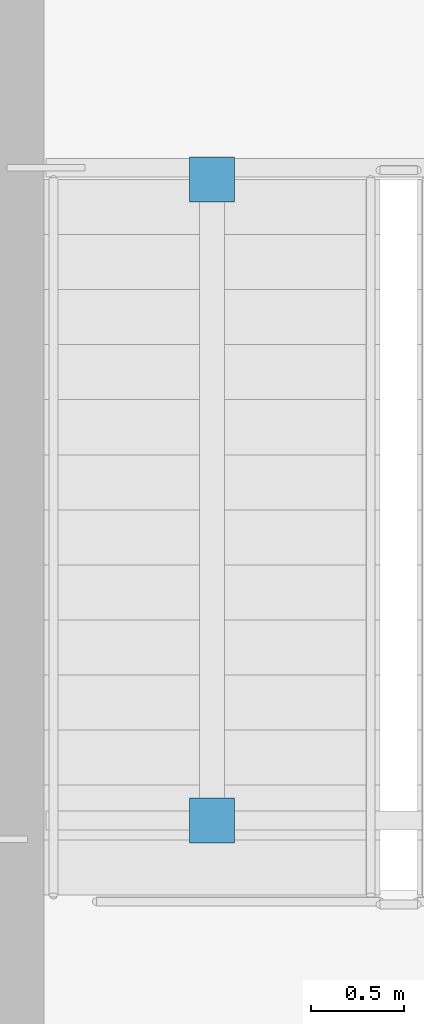
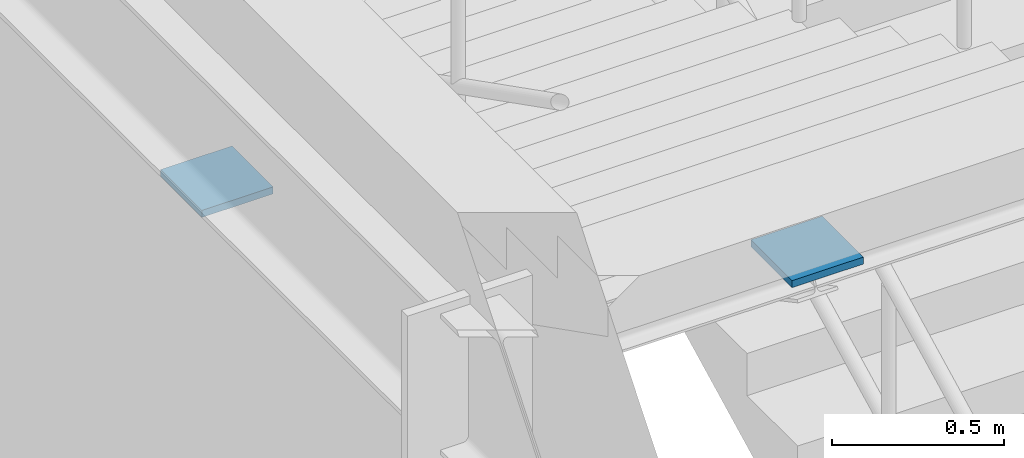
# One storey, part 55 of 67: 2 discrete accessories.
"""IFC4 building model written with IfcOpenShell, lengths in metres."""

from ifc_helpers import new_model, si_unit, direction, frame, origin, origin_2d, place, context, subcontext, project, spatial, rectangle, extrude, material, type_object, element, save


model = new_model("IFC4")

# Units and contexts
model_context = context("Model", 3, precision=1e-05, world=origin(), true_north=direction((0.0, 1.0)))
body_context = subcontext(model_context, "Body", "Model", "MODEL_VIEW")
ifc_project = project(units=[si_unit("LENGTHUNIT", "METRE"), si_unit("AREAUNIT", "SQUARE_METRE"), si_unit("VOLUMEUNIT", "CUBIC_METRE"), si_unit("PLANEANGLEUNIT", "RADIAN"), si_unit("MASSUNIT", "GRAM", prefix="KILO")], contexts=[model_context])

# Site, building, storey
site_placement = place(None, origin())
site = spatial("IfcSite", under=ifc_project, at=site_placement, CompositionType="ELEMENT")
building_placement = place(site_placement, origin())
building = spatial("IfcBuilding", under=site, at=building_placement, Name="Sundkrona Museum", CompositionType="ELEMENT")
storey_placement = place(building_placement, frame((0.0, 0.0, 21.800048828125)))
storey = spatial("IfcBuildingStorey", under=building, at=storey_placement, Name="L04", CompositionType="ELEMENT", Elevation=21.800048828125)

# Discrete accessories
ifc_material = material(Name="Stainless Steel EN 1.4404 Cleat", Category="steel")
discrete_accessory_type = type_object("IfcDiscreteAccessoryType", Name="BRK-FIN-01", PredefinedType="BRACKET", material=ifc_material)
for number, where, z_axis, x_axis, name in (
    (1, (121.199951171875, 11.534912109375, 1.767578125), (0.0, 0.0, 1.0), (1.0, 0.0, 0.0), "Brace and Strut End Connection Plate RK-ST-ST-2-L04-2-1"),
    (2, (121.199951171875, 8.10009765625, 3.60107421875), (0.0, 0.0, 1.0), (1.0, 0.0, 0.0), "Brace and Strut End Connection Plate RK-ST-ST-2-L04-2-2"),
):
    element("IfcDiscreteAccessory", number, at=place(storey_placement, frame(where, z_axis=z_axis, x_axis=x_axis)), inside=storey, type_object=discrete_accessory_type, Name=name, PredefinedType="BRACKET", context=body_context, shape_type="SweptSolid", body=[
        extrude(rectangle(XDim=0.239990234375, YDim=0.239990234375, at=origin_2d()), origin(), (0.0, 0.0, 1.0), 0.02490234375),
    ])

save(model, "model.ifc")
